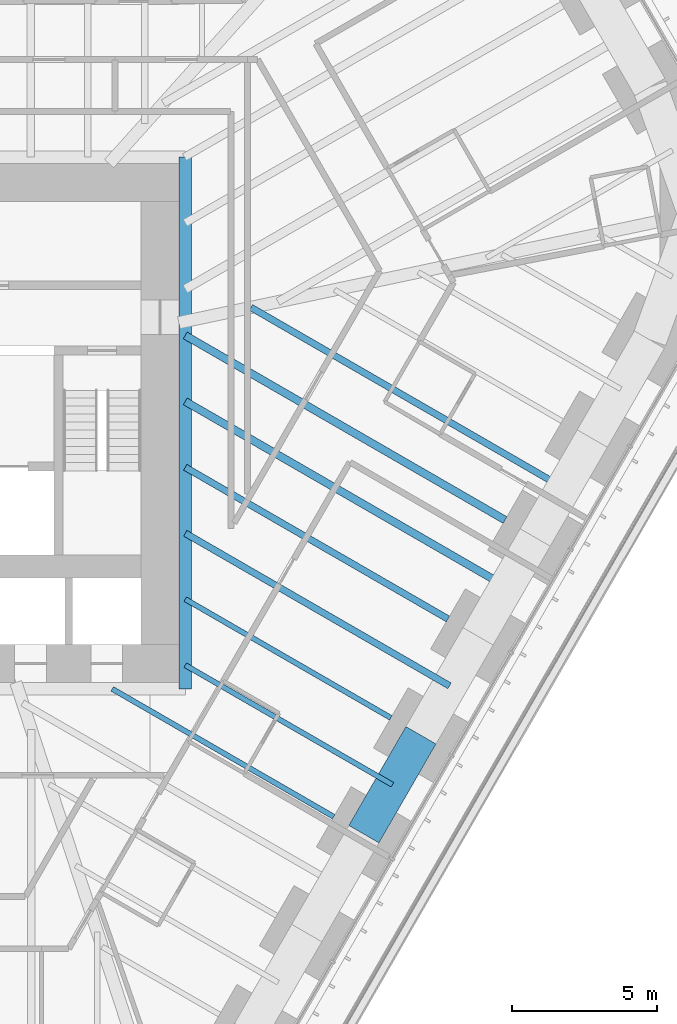
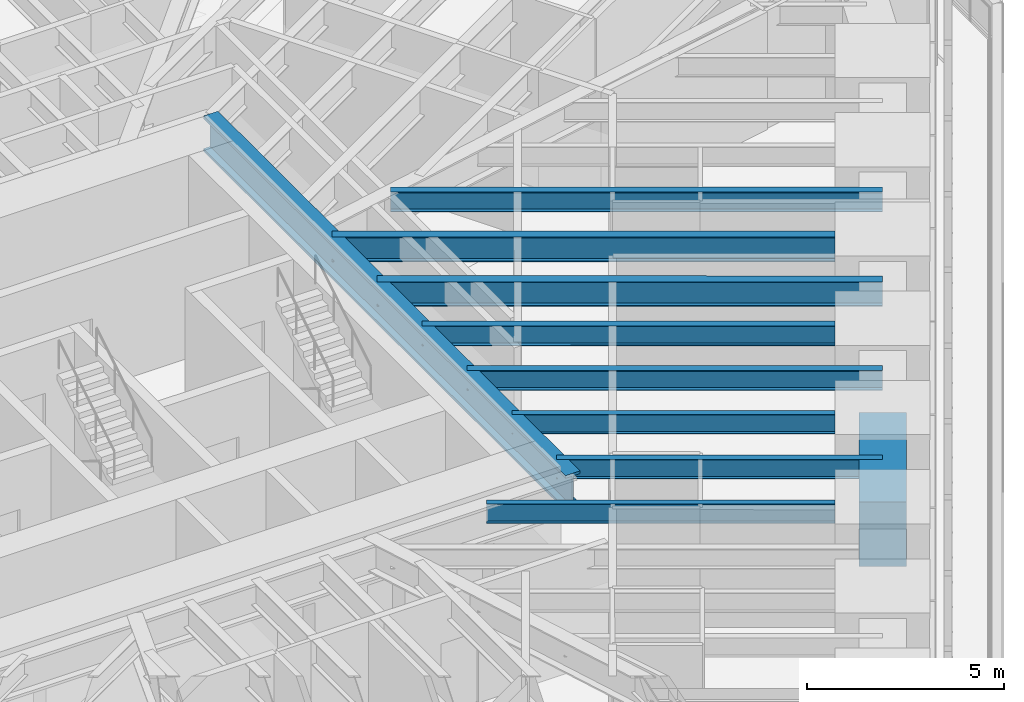
# One storey, part 89 of 238: 10 beams.
"""IFC4 building model written with IfcOpenShell, lengths in metres."""

from ifc_helpers import new_model, si_unit, direction, frame, origin, origin_2d, place, context, subcontext, project, spatial, rectangle, i_section, extrude, material, material_profile, profile_set, type_object, element, save


model = new_model("IFC4")

# Units and contexts
model_context = context("Model", 3, precision=1e-05, world=origin(), true_north=direction((0.0, 1.0)))
body_context = subcontext(model_context, "Body", "Model", "MODEL_VIEW")
ifc_project = project(units=[si_unit("LENGTHUNIT", "METRE"), si_unit("AREAUNIT", "SQUARE_METRE"), si_unit("VOLUMEUNIT", "CUBIC_METRE"), si_unit("PLANEANGLEUNIT", "RADIAN"), si_unit("MASSUNIT", "GRAM", prefix="KILO")], contexts=[model_context])

# Site, building, storey
site_placement = place(None, origin())
site = spatial("IfcSite", under=ifc_project, at=site_placement, CompositionType="ELEMENT")
building_placement = place(site_placement, origin())
building = spatial("IfcBuilding", under=site, at=building_placement, Name="Sandreach Pilgrim Tower", CompositionType="ELEMENT")
storey_placement = place(building_placement, frame((0.0, 0.0, 96.800048828125)))
storey = spatial("IfcBuildingStorey", under=building, at=storey_placement, Name="L23", CompositionType="ELEMENT", Elevation=96.800048828125)

# Beams
ifc_material_1 = material(Name="Steel ASTM A992 Grade 50", Category="steel")
ifc_material_profile_1 = material_profile(ifc_material_1, i_section(OverallWidth=0.424072265625, OverallDepth=1.09228515625, WebThickness=0.04541015625, FlangeThickness=0.08203125, at=origin_2d()), Name="W40X593")
ifc_profile_set_1 = profile_set([ifc_material_profile_1], Name="Steel ASTM A992 Grade 50")
beam_type_1 = type_object("IfcBeamType", Name="Core edge beam W40X593", PredefinedType="BEAM", material=ifc_profile_set_1)
beam_1_placement = place(storey_placement, frame((9.27197265625, 7.6220703125, 3.09375), z_axis=(0.0, -1.0, 0.0), x_axis=(1.0, 0.0, 0.0)))
element("IfcBeam", 1, at=beam_1_placement, inside=storey, type_object=beam_type_1, Name="BM L23 CEE", PredefinedType="BEAM", context=body_context, shape_type="SweptSolid", body=[
    extrude(i_section(OverallWidth=0.424072265625, OverallDepth=1.09228515625, WebThickness=0.04541015625, FlangeThickness=0.08203125, at=origin_2d()), origin(), (0.0, 0.0, 1.0), 18.34423828125),
])
ifc_material_2 = material(Name="Steel ASTM A992 Grade 50", Category="steel")
ifc_material_profile_2 = material_profile(ifc_material_2, i_section(OverallWidth=0.1787109375, OverallDepth=0.60205078125, WebThickness=0.010986328125, FlangeThickness=0.014892578125, at=origin_2d()), Name="W24X62")
ifc_profile_set_2 = profile_set([ifc_material_profile_2], Name="Steel ASTM A992 Grade 50")
beam_type_2 = type_object("IfcBeamType", Name="Floor beam W24X62", PredefinedType="BEAM", material=ifc_profile_set_2)
beam_2_placement = place(storey_placement, frame((16.36474609375, -11.722900390625, 3.3388671875), z_axis=(-0.866027727466, 0.499995975244, 0.0), x_axis=(-0.499995975244, -0.866027727466, 0.0)))
element("IfcBeam", 2, at=beam_2_placement, inside=storey, type_object=beam_type_2, Name="BM L23 F18", PredefinedType="BEAM", context=body_context, shape_type="SweptSolid", body=[
    extrude(i_section(OverallWidth=0.1787109375, OverallDepth=0.60205078125, WebThickness=0.010986328125, FlangeThickness=0.014892578125, at=origin_2d()), origin(), (0.0, 0.0, 1.0), 8.18994140625),
])
beam_3_placement = place(storey_placement, frame((14.394775390625, -15.135009765625, 3.3388671875), z_axis=(-0.866033575313, 0.49998584623, 0.0), x_axis=(-0.49998584623, -0.866033575313, 0.0)))
element("IfcBeam", 3, at=beam_3_placement, inside=storey, type_object=beam_type_2, Name="BM L23 F19", PredefinedType="BEAM", context=body_context, shape_type="SweptSolid", body=[
    extrude(i_section(OverallWidth=0.1787109375, OverallDepth=0.60205078125, WebThickness=0.010986328125, FlangeThickness=0.014892578125, at=origin_2d()), origin(), (0.0, 0.0, 1.0), 8.825927734375),
])
beam_4_placement = place(storey_placement, frame((16.4189453125, -14.029052734375, 3.3388671875), z_axis=(-0.866029910079, 0.499992194788, 0.0), x_axis=(-0.499992194788, -0.866029910079, 0.0)))
element("IfcBeam", 4, at=beam_4_placement, inside=storey, type_object=beam_type_2, Name="BM L23 FM18", PredefinedType="BEAM", context=body_context, shape_type="SweptSolid", body=[
    extrude(i_section(OverallWidth=0.1787109375, OverallDepth=0.60205078125, WebThickness=0.010986328125, FlangeThickness=0.014892578125, at=origin_2d()), origin(), (0.0, 0.0, 1.0), 8.252685546875),
])
ifc_material_3 = material(Name="Steel ASTM A992 Grade 50", Category="steel")
ifc_material_profile_3 = material_profile(ifc_material_3, i_section(OverallWidth=0.23046875, OverallDepth=0.6171875, WebThickness=0.01318359375, FlangeThickness=0.022216796875, at=origin_2d()), Name="W24X94")
ifc_profile_set_3 = profile_set([ifc_material_profile_3], Name="Steel ASTM A992 Grade 50")
beam_type_3 = type_object("IfcBeamType", Name="Floor beam W24X94", PredefinedType="BEAM", material=ifc_profile_set_3)
beam_5_placement = place(storey_placement, frame((18.334716796875, -8.310791015625, 3.331298828125), z_axis=(-0.866033680824, 0.499985663472, 0.0), x_axis=(-0.499985663472, -0.866033680824, 0.0)))
element("IfcBeam", 5, at=beam_5_placement, inside=storey, type_object=beam_type_3, Name="BM L23 F17", PredefinedType="BEAM", context=body_context, shape_type="SweptSolid", body=[
    extrude(i_section(OverallWidth=0.23046875, OverallDepth=0.6171875, WebThickness=0.01318359375, FlangeThickness=0.022216796875, at=origin_2d()), origin(), (0.0, 0.0, 1.0), 10.464599609375),
])
beam_6_placement = place(storey_placement, frame((22.328857421875, -3.792724609375, 3.331298828125), z_axis=(-0.866019150617, 0.500010830648, 0.0), x_axis=(-0.500010830648, -0.866019150617, 0.0)))
element("IfcBeam", 6, at=beam_6_placement, inside=storey, type_object=beam_type_3, Name="BM L23 FM15", PredefinedType="BEAM", context=body_context, shape_type="SweptSolid", body=[
    extrude(i_section(OverallWidth=0.23046875, OverallDepth=0.6171875, WebThickness=0.01318359375, FlangeThickness=0.022216796875, at=origin_2d()), origin(), (0.0, 0.0, 1.0), 12.458251953125),
])
beam_7_placement = place(storey_placement, frame((18.388916015625, -10.616943359375, 3.331298828125), z_axis=(-0.866025314434, 0.50000015476, 0.0), x_axis=(-0.50000015476, -0.866025314434, 0.0)))
element("IfcBeam", 7, at=beam_7_placement, inside=storey, type_object=beam_type_3, Name="BM L23 FM17", PredefinedType="BEAM", context=body_context, shape_type="SweptSolid", body=[
    extrude(i_section(OverallWidth=0.23046875, OverallDepth=0.6171875, WebThickness=0.01318359375, FlangeThickness=0.022216796875, at=origin_2d()), origin(), (0.0, 0.0, 1.0), 10.52734375),
])
ifc_material_4 = material(Name="Steel ASTM A992 Grade 50", Category="steel")
ifc_material_profile_4 = material_profile(ifc_material_4, i_section(OverallWidth=0.2666015625, OverallDepth=0.761962890625, WebThickness=0.014404296875, FlangeThickness=0.021484375, at=origin_2d()), Name="W30X116")
ifc_profile_set_4 = profile_set([ifc_material_profile_4], Name="Steel ASTM A992 Grade 50")
beam_type_4 = type_object("IfcBeamType", Name="Floor beam W30X116", PredefinedType="BEAM", material=ifc_profile_set_4)
beam_8_placement = place(storey_placement, frame((20.3046875, -4.898681640625, 3.259033203125), z_axis=(-0.866029209911, 0.499993407537, 0.0), x_axis=(-0.499993407537, -0.866029209911, 0.0)))
element("IfcBeam", 8, at=beam_8_placement, inside=storey, type_object=beam_type_4, Name="BM L23 F16", PredefinedType="BEAM", context=body_context, shape_type="SweptSolid", body=[
    extrude(i_section(OverallWidth=0.2666015625, OverallDepth=0.761962890625, WebThickness=0.014404296875, FlangeThickness=0.021484375, at=origin_2d()), origin(), (0.0, 0.0, 1.0), 12.739501953125),
])
beam_9_placement = place(storey_placement, frame((20.35888671875, -7.204833984375, 3.259033203125), z_axis=(-0.866022351924, 0.50000528594, 0.0), x_axis=(-0.50000528594, -0.866022351924, 0.0)))
element("IfcBeam", 9, at=beam_9_placement, inside=storey, type_object=beam_type_4, Name="BM L23 FM16", PredefinedType="BEAM", context=body_context, shape_type="SweptSolid", body=[
    extrude(i_section(OverallWidth=0.2666015625, OverallDepth=0.761962890625, WebThickness=0.014404296875, FlangeThickness=0.021484375, at=origin_2d()), origin(), (0.0, 0.0, 1.0), 12.802001953125),
])
ifc_material_5 = material(Name="Concrete 10000 psi", Category="concrete")
ifc_material_profile_5 = material_profile(ifc_material_5, rectangle(XDim=1.199951171875, YDim=2.0, at=origin_2d()), Name="RC1200X2000")
ifc_profile_set_5 = profile_set([ifc_material_profile_5], Name="Concrete 10000 psi")
beam_type_5 = type_object("IfcBeamType", Name="Spandrel beam RC1200X2000", PredefinedType="SPANDREL", material=ifc_profile_set_5)
beam_10_placement = place(storey_placement, frame((17.404052734375, -12.322998046875, 2.639892578125), z_axis=(-0.49999779889, -0.866026674592, 0.0), x_axis=(0.866026674592, -0.49999779889, 0.0)))
element("IfcBeam", 10, at=beam_10_placement, inside=storey, type_object=beam_type_5, Name="BM L23 SP18", PredefinedType="SPANDREL", context=body_context, shape_type="SweptSolid", body=[
    extrude(rectangle(XDim=1.199951171875, YDim=2.0, at=origin_2d()), origin(), (0.0, 0.0, 1.0), 3.93994140625),
])

save(model, "model.ifc")
